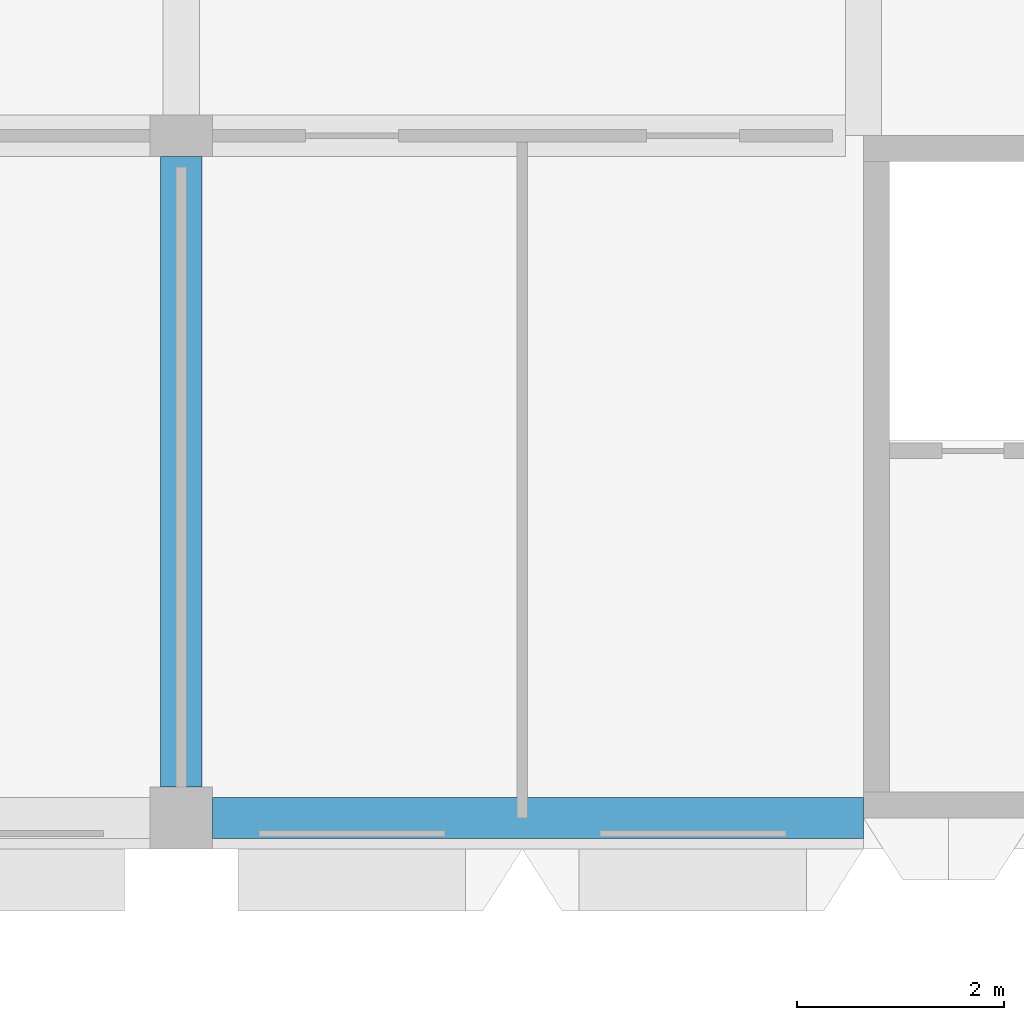
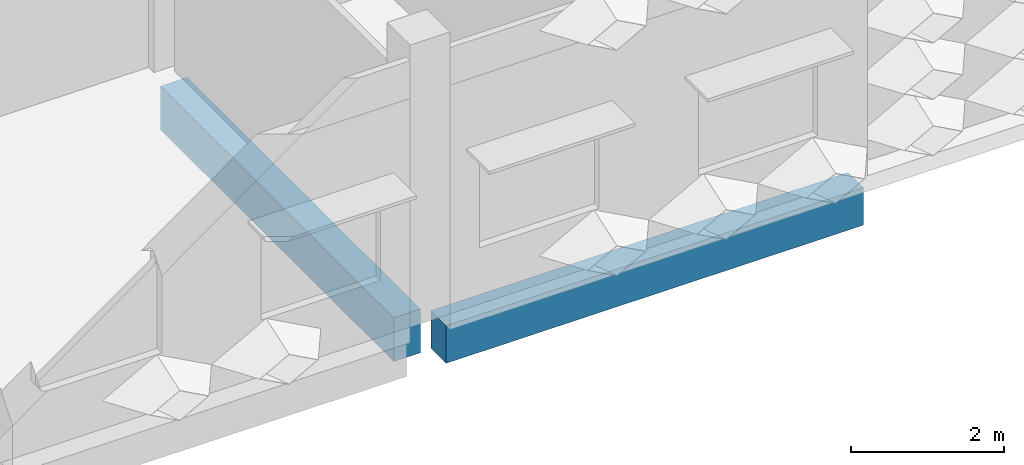
# One storey, part 20 of 102: 2 beams.
"""IFC4 building model written with IfcOpenShell, lengths in metres."""

from ifc_helpers import new_model, si_unit, direction, frame, origin, origin_2d, place, context, subcontext, project, spatial, rectangle, extrude, material, material_profile, profile_set, type_object, element, save


model = new_model("IFC4")

# Units and contexts
model_context = context("Model", 3, precision=1e-05, world=origin(), true_north=direction((0.0, 1.0)))
body_context = subcontext(model_context, "Body", "Model", "MODEL_VIEW")
ifc_project = project(units=[si_unit("LENGTHUNIT", "METRE"), si_unit("AREAUNIT", "SQUARE_METRE"), si_unit("VOLUMEUNIT", "CUBIC_METRE"), si_unit("PLANEANGLEUNIT", "RADIAN"), si_unit("MASSUNIT", "GRAM", prefix="KILO")], contexts=[model_context])

# Site, building, storey
site_placement = place(None, origin())
site = spatial("IfcSite", under=ifc_project, at=site_placement, CompositionType="ELEMENT")
building_placement = place(site_placement, origin())
building = spatial("IfcBuilding", under=site, at=building_placement, Name="Lantern Court Research Institute", CompositionType="ELEMENT")
storey_placement = place(building_placement, frame((0.0, 0.0, 9.89990234375)))
storey = spatial("IfcBuildingStorey", under=building, at=storey_placement, Name="L02", CompositionType="ELEMENT", Elevation=9.89990234375)

# Beams
ifc_material_1 = material(Name="Concrete C40/50", Category="concrete")
ifc_material_profile_1 = material_profile(ifc_material_1, rectangle(XDim=0.39990234375, YDim=0.699951171875, at=origin_2d()), Name="RC beam 400 x 700")
ifc_profile_set_1 = profile_set([ifc_material_profile_1], Name="Concrete C40/50")
beam_type_1 = type_object("IfcBeamType", Name="RC beam 400 x 700", PredefinedType="BEAM", material=ifc_profile_set_1)
beam_1_placement = place(storey_placement, frame((33.0, 82.800048828125, -0.599853515625), z_axis=(0.0, 1.0, 0.0), x_axis=(-1.0, 0.0, 0.0)))
element("IfcBeam", 1, at=beam_1_placement, inside=storey, type_object=beam_type_1, Name="Beam L02 grid 6/J-K", PredefinedType="BEAM", context=body_context, shape_type="SweptSolid", body=[
    extrude(rectangle(XDim=0.39990234375, YDim=0.699951171875, at=origin_2d()), origin(), (0.0, 0.0, 1.0), 6.099853515625),
])
ifc_material_2 = material(Name="Concrete C40/50", Category="concrete")
ifc_material_profile_2 = material_profile(ifc_material_2, rectangle(XDim=0.39990234375, YDim=0.60009765625, at=origin_2d()), Name="RC beam 400 x 600")
ifc_profile_set_2 = profile_set([ifc_material_profile_2], Name="Concrete C40/50")
beam_type_2 = type_object("IfcBeamType", Name="RC edge beam 400 x 600", PredefinedType="BEAM", material=ifc_profile_set_2)
beam_2_placement = place(storey_placement, frame((33.300048828125, 82.5, -0.5498046875), z_axis=(1.0, 0.0, 0.0), x_axis=(0.0, 1.0, 0.0)))
element("IfcBeam", 2, at=beam_2_placement, inside=storey, type_object=beam_type_2, Name="Edge beam L02 grid J/6-7", PredefinedType="BEAM", context=body_context, shape_type="SweptSolid", body=[
    extrude(rectangle(XDim=0.39990234375, YDim=0.60009765625, at=origin_2d()), origin(), (0.0, 0.0, 1.0), 6.300048828125),
])

save(model, "model.ifc")
